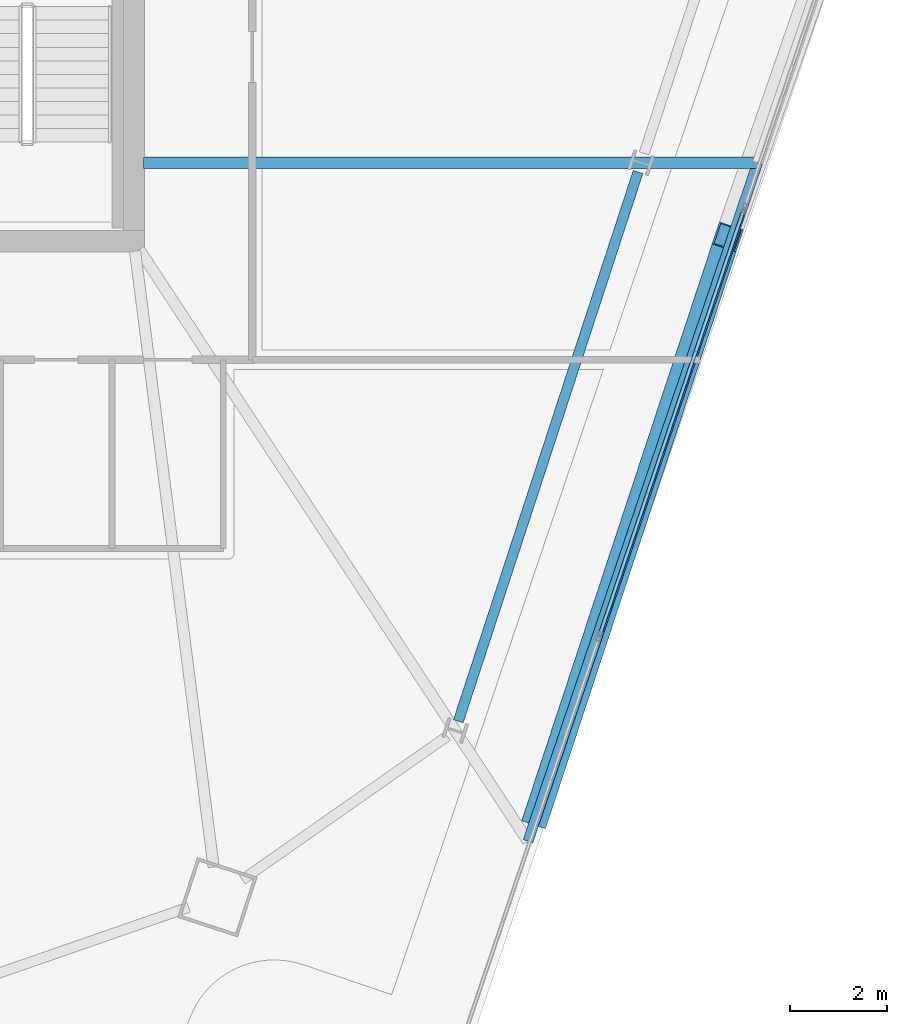
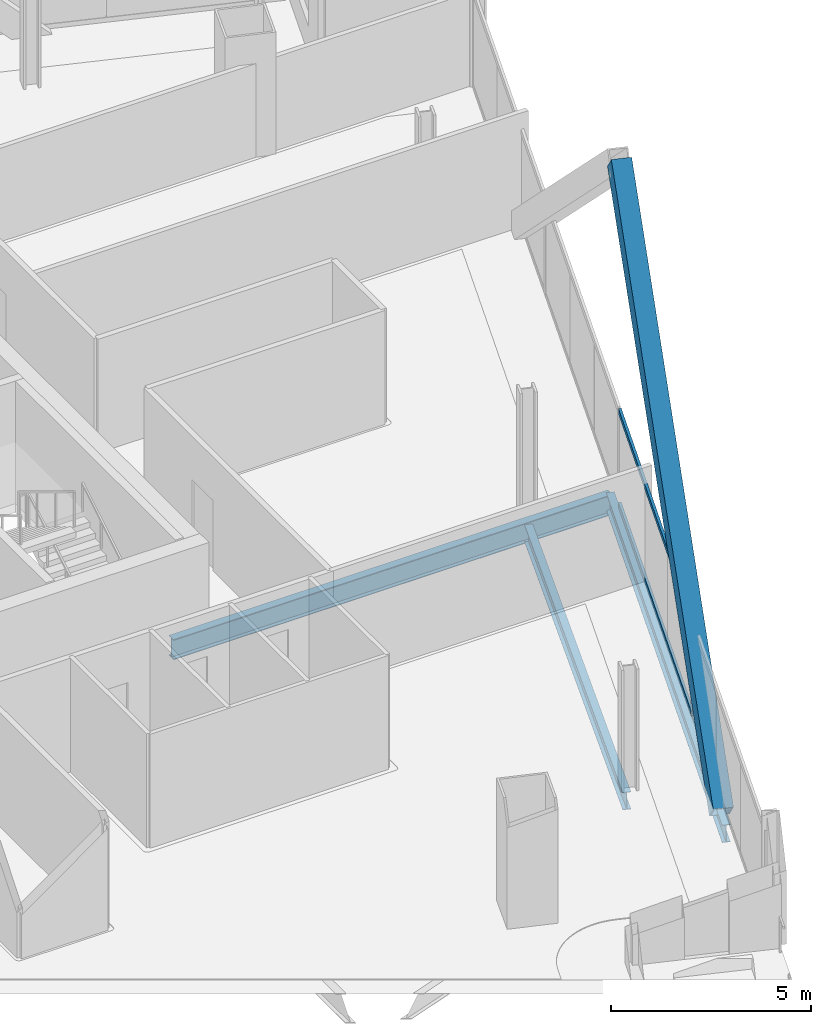
# One storey, part 9 of 29: 3 beams, 3 members, 1 element without a shape of its own.
"""IFC4 building model written with IfcOpenShell, lengths in metres."""

import ifcopenshell
import ifcopenshell.guid

model = None  # the IFC model being written
_history = None  # IfcOwnerHistory: only IFC2X3 demands one
_inside = {}  # id of a spatial element -> (the spatial element, [elements in it])
_under = {}  # id of a project, library or spatial element -> (it, [spatial elements below it])
_declared = {}  # id of a project -> (the project, [libraries it declares])
_typed = {}  # id of a type object -> (the type object, [elements of that type])
_made_of = {}  # id of a material, layer set ... -> (it, [elements and type objects made of it])


def new_model(schema):
    """Start an empty IFC model of exactly this schema.

    Asked for "IFC4X3", IfcOpenShell would pick the latest addendum, in which some entities
    have other attributes; the version numbers below select the first issue.
    IFC2X3 requires an IfcOwnerHistory on every rooted entity: one is made here for all.
    """
    global model, _history
    if schema == "IFC4X3":
        model = ifcopenshell.file(schema_version=(4, 3, 0, 0))
    else:
        model = ifcopenshell.file(schema=schema)
    _inside.clear()
    _under.clear()
    _declared.clear()
    _typed.clear()
    _made_of.clear()
    _history = None
    if model.schema == "IFC2X3":
        org = make("IfcOrganization", Name="unknown")
        user = make(
            "IfcPersonAndOrganization",
            ThePerson=make("IfcPerson", FamilyName="unknown"),
            TheOrganization=org,
        )
        app = make(
            "IfcApplication",
            ApplicationDeveloper=org,
            Version="unknown",
            ApplicationFullName="unknown",
            ApplicationIdentifier="unknown",
        )
        _history = make(
            "IfcOwnerHistory",
            OwningUser=user,
            OwningApplication=app,
            ChangeAction="ADDED",
            CreationDate=0,
        )
    return model


def make(cls, **values):
    """One entity of the class cls with the attributes given. An attribute that is None is left unset."""
    return model.create_entity(
        cls, **{name: value for name, value in values.items() if value is not None}
    )


def rooted(cls, **values):
    """An entity with a GlobalId (a new one), such as an element, a storey or a relation."""
    return make(cls, GlobalId=ifcopenshell.guid.new(), OwnerHistory=_history, **values)


def si_unit(unit_type, name, prefix=None):
    """IfcSIUnit, for example si_unit("LENGTHUNIT", "METRE", prefix="MILLI")."""
    return make("IfcSIUnit", UnitType=unit_type, Prefix=prefix, Name=name)


def assignment(units):
    """IfcUnitAssignment: the units of a project."""
    return None if units is None else make("IfcUnitAssignment", Units=units)


def point(xyz):
    """IfcCartesianPoint."""
    return None if xyz is None else make("IfcCartesianPoint", Coordinates=xyz)


def direction(xyz):
    """IfcDirection."""
    return None if xyz is None else make("IfcDirection", DirectionRatios=xyz)


def frame(location, z_axis=None, x_axis=None):
    """IfcAxis2Placement3D, a coordinate frame: its origin and axes. An axis left out is left unset."""
    return make(
        "IfcAxis2Placement3D",
        Location=point(location),
        Axis=direction(z_axis),
        RefDirection=direction(x_axis),
    )


def frame_2d(location, x_axis=None):
    """IfcAxis2Placement2D, a coordinate frame in the plane: its origin and x axis."""
    return make(
        "IfcAxis2Placement2D", Location=point(location), RefDirection=direction(x_axis)
    )


def origin():
    """The frame at (0, 0, 0) with its axes left unset."""
    return frame((0.0, 0.0, 0.0))


def origin_2d():
    """The frame at (0, 0) in the plane with its x axis left unset."""
    return frame_2d((0.0, 0.0))


def place(relative_to, where):
    """IfcLocalPlacement: puts the frame where relative to a parent placement (None: the world)."""
    return make(
        "IfcLocalPlacement", PlacementRelTo=relative_to, RelativePlacement=where
    )


def context(
    kind, dimensions, precision=None, world=None, true_north=None, identifier=None
):
    """IfcGeometricRepresentationContext, for example the 3D "Model" context."""
    return make(
        "IfcGeometricRepresentationContext",
        ContextIdentifier=identifier,
        ContextType=kind,
        CoordinateSpaceDimension=dimensions,
        Precision=precision,
        WorldCoordinateSystem=world,
        TrueNorth=true_north,
    )


def subcontext(parent, identifier, kind, view, scale=None):
    """IfcGeometricRepresentationSubContext, for example "Body" below "Model"."""
    return make(
        "IfcGeometricRepresentationSubContext",
        ContextIdentifier=identifier,
        ContextType=kind,
        ParentContext=parent,
        TargetScale=scale,
        TargetView=view,
    )


def project(units=None, contexts=None):
    """IfcProject with its units and contexts."""
    return rooted(
        "IfcProject",
        Name="project",
        RepresentationContexts=contexts,
        UnitsInContext=assignment(units),
    )


def spatial(cls, under=None, at=None, **own):
    """A site, building, storey or space (cls), placed at a placement, below another one or the project."""
    s = rooted(cls, ObjectPlacement=at, **own)
    if under is not None:
        _under.setdefault(under.id(), (under, []))[1].append(s)
    return s


def profile(cls, at=None, kind="AREA", **sizes):
    """A parametric profile (cls). Its sizes go by their IFC names, for example OverallWidth=200.0."""
    return make(cls, ProfileType=kind, Position=at, **sizes)


def hollow_rectangle(**sizes):
    """IfcRectangleHollowProfileDef."""
    return profile("IfcRectangleHollowProfileDef", **sizes)


def i_section(**sizes):
    """IfcIShapeProfileDef."""
    return profile("IfcIShapeProfileDef", **sizes)


def extrude(swept, where, along, depth):
    """IfcExtrudedAreaSolid: the profile swept, set in the frame where, extruded along a direction by depth."""
    return make(
        "IfcExtrudedAreaSolid",
        SweptArea=swept,
        Position=where,
        ExtrudedDirection=direction(along),
        Depth=depth,
    )


def shape(context_of_items, identifier, shape_type, items):
    """IfcShapeRepresentation: the items that make up one representation, for example the "Body"."""
    return make(
        "IfcShapeRepresentation",
        ContextOfItems=context_of_items,
        RepresentationIdentifier=identifier,
        RepresentationType=shape_type,
        Items=items,
    )


def material(Name=None, Category=None):
    """IfcMaterial."""
    return make("IfcMaterial", Name=Name, Category=Category)


def material_profile(
    of_material, cross_section, Name=None, Category=None, Priority=None
):
    """IfcMaterialProfile: a cross section and its material."""
    return make(
        "IfcMaterialProfile",
        Name=Name,
        Material=of_material,
        Profile=cross_section,
        Priority=Priority,
        Category=Category,
    )


def profile_set(profiles, Name=None, composite=None):
    """IfcMaterialProfileSet."""
    return make(
        "IfcMaterialProfileSet",
        Name=Name,
        MaterialProfiles=profiles,
        CompositeProfile=composite,
    )


def made_of(thing, what):
    """Note that an element or type object is made of a material, layer set ...; save() writes the relation."""
    if what is not None:
        _made_of.setdefault(what.id(), (what, []))[1].append(thing)
    return thing


def type_object(cls, material=None, **own):
    """A type object (cls), such as IfcWallType, which elements share."""
    return made_of(rooted(cls, **own), material)


def element(
    cls,
    number,
    at=None,
    inside=None,
    cuts=None,
    type_object=None,
    material=None,
    context=None,
    identifier="Body",
    shape_type=None,
    held_by="IfcProductDefinitionShape",
    body=None,
    shapes=None,
    **own,
):
    """One element of the class cls, such as IfcWall. Its Tag is "e" and its number.

    at: its placement. inside: the storey or other place that contains it. cuts: it is an
    opening in that element (IfcRelVoidsElement). A single representation is given by context,
    identifier, shape_type and body (its items); several are given by shapes. held_by: the class
    of the entity that holds the representations. save() writes the other relations.
    """
    e = rooted(cls, Tag="e%d" % number, ObjectPlacement=at, **own)
    if body is not None:
        shapes = [shape(context, identifier, shape_type, body)]
    if shapes is not None:
        e.Representation = make(held_by, Representations=shapes)
    if inside is not None:
        _inside.setdefault(inside.id(), (inside, []))[1].append(e)
    if cuts is not None:
        rooted(
            "IfcRelVoidsElement", RelatingBuildingElement=cuts, RelatedOpeningElement=e
        )
    if type_object is not None:
        _typed.setdefault(type_object.id(), (type_object, []))[1].append(e)
    return made_of(e, material)


def aggregate(whole, parts):
    """IfcRelAggregates: a whole, such as a stair, and the parts it consists of."""
    return rooted("IfcRelAggregates", RelatingObject=whole, RelatedObjects=parts)


def save(model, path):
    """Write the relations noted so far, then the file.

    IfcRelAggregates (storeys below a building ...), IfcRelContainedInSpatialStructure (elements
    in a storey), IfcRelDefinesByType, IfcRelAssociatesMaterial and IfcRelDeclares: one each for
    every whole, place, type object, material and project.
    """
    for whole, parts in _under.values():
        aggregate(whole, parts)
    for where, things in _inside.values():
        rooted(
            "IfcRelContainedInSpatialStructure",
            RelatedElements=things,
            RelatingStructure=where,
        )
    for kind, things in _typed.values():
        rooted("IfcRelDefinesByType", RelatedObjects=things, RelatingType=kind)
    for what, things in _made_of.values():
        rooted("IfcRelAssociatesMaterial", RelatedObjects=things, RelatingMaterial=what)
    for by, libraries in _declared.values():
        rooted("IfcRelDeclares", RelatingContext=by, RelatedDefinitions=libraries)
    model.write(path)


model = new_model("IFC4")

# Units and contexts
model_context = context("Model", 3, precision=1e-05, world=origin(), true_north=direction((0.0, 1.0)))
body_context = subcontext(model_context, "Body", "Model", "MODEL_VIEW")
ifc_project = project(units=[si_unit("LENGTHUNIT", "METRE"), si_unit("AREAUNIT", "SQUARE_METRE"), si_unit("VOLUMEUNIT", "CUBIC_METRE"), si_unit("PLANEANGLEUNIT", "RADIAN"), si_unit("MASSUNIT", "GRAM", prefix="KILO")], contexts=[model_context])

# Site, building, storey
site_placement = place(None, origin())
site = spatial("IfcSite", under=ifc_project, at=site_placement, CompositionType="ELEMENT")
building_placement = place(site_placement, origin())
building = spatial("IfcBuilding", under=site, at=building_placement, Name="Haldenkirk Collegiate Tower", CompositionType="ELEMENT")
storey_placement = place(building_placement, frame((0.0, 0.0, 267.449951171875)))
storey = spatial("IfcBuildingStorey", under=building, at=storey_placement, Name="L67", CompositionType="ELEMENT", Elevation=267.449951171875)

# Beams
ifc_material_1 = material(Name="Steel ASTM A992 Grade 50", Category="steel")
ifc_material_profile_1 = material_profile(ifc_material_1, i_section(OverallWidth=0.22998046875, OverallDepth=0.616943359375, WebThickness=0.01318359375, FlangeThickness=0.022216796875, at=origin_2d()), Name="W24X94")
ifc_profile_set_1 = profile_set([ifc_material_profile_1], Name="Steel ASTM A992 Grade 50")
beam_type_1 = type_object("IfcBeamType", Name="BM-GIRDER-W24X94", PredefinedType="BEAM", material=ifc_profile_set_1)
beam_1_placement = place(storey_placement, frame((57.8916015625, 19.624267578125, -0.578369140625), z_axis=(-1.0, 0.0, 0.0), x_axis=(0.0, -1.0, 0.0)))
element("IfcBeam", 1, at=beam_1_placement, inside=storey, type_object=beam_type_1, Name="L67 primary floor girder 06", PredefinedType="BEAM", context=body_context, shape_type="SweptSolid", body=[
    extrude(i_section(OverallWidth=0.22998046875, OverallDepth=0.616943359375, WebThickness=0.01318359375, FlangeThickness=0.022216796875, at=origin_2d()), origin(), (0.0, 0.0, 1.0), 12.6865234375),
])
ifc_material_profile_2 = material_profile(ifc_material_1, i_section(OverallWidth=0.2099609375, OverallDepth=0.537109375, WebThickness=0.010986328125, FlangeThickness=0.017333984375, at=origin_2d()), Name="W21X68")
ifc_profile_set_2 = profile_set([ifc_material_profile_2], Name="Steel ASTM A992 Grade 50")
beam_type_2 = type_object("IfcBeamType", Name="BM-SPANDREL-W21X68", PredefinedType="SPANDREL", material=ifc_profile_set_2)
beam_2_placement = place(storey_placement, frame((51.7060546875, 8.081298828125, -0.538330078125), z_axis=(0.311010188249, 0.950406577631, 0.0), x_axis=(-0.950406577631, 0.311010188249, 0.0)))
element("IfcBeam", 2, at=beam_2_placement, inside=storey, type_object=beam_type_2, Name="L67 perimeter spandrel beam 02", PredefinedType="SPANDREL", context=body_context, shape_type="SweptSolid", body=[
    extrude(i_section(OverallWidth=0.2099609375, OverallDepth=0.537109375, WebThickness=0.010986328125, FlangeThickness=0.017333984375, at=origin_2d()), origin(), (0.0, 0.0, 1.0), 11.94287109375),
])
beam_3_placement = place(storey_placement, frame((53.145263671875, 5.60205078125, -0.538330078125), z_axis=(0.320617800288, 0.947208649738, 0.0), x_axis=(-0.947208649738, 0.320617800288, 0.0)))
element("IfcBeam", 3, at=beam_3_placement, inside=storey, type_object=beam_type_2, Name="L67 outer facade edge beam 1A", PredefinedType="SPANDREL", context=body_context, shape_type="SweptSolid", body=[
    extrude(i_section(OverallWidth=0.2099609375, OverallDepth=0.537109375, WebThickness=0.010986328125, FlangeThickness=0.017333984375, at=origin_2d()), origin(), (0.0, 0.0, 1.0), 14.8037109375),
])

# Curtain wall, members
ifc_material_2 = material(Name="Anodised architectural bronze aluminium", Category="aluminium")
curtain_wall_type = type_object("IfcCurtainWallType", Name="CW-SYS2-CONCAVE", PredefinedType="USERDEFINED", material=ifc_material_2)
curtain_wall_placement = place(storey_placement, origin())
curtain_wall = element("IfcCurtainWall", 4, at=curtain_wall_placement, inside=storey, type_object=curtain_wall_type, Name="L67 South concave recessed bronze-anodised curtain wall", ObjectType="UNITISED CURTAIN WALL", PredefinedType="USERDEFINED")
ifc_material_profile_3 = material_profile(ifc_material_2, hollow_rectangle(XDim=0.074951171875, YDim=0.159912109375, WallThickness=0.0048828125, at=origin_2d()), Name="CW-TRN-02")
ifc_profile_set_3 = profile_set([ifc_material_profile_3], Name="Anodised architectural bronze aluminium")
member_type_1 = type_object("IfcMemberType", Name="CW-TRN-02", PredefinedType="USERDEFINED", material=ifc_profile_set_3)
member_1_placement = place(storey_placement, frame((57.603271484375, 18.648193359375, 0.03759765625), z_axis=(-0.320607074427, -0.947212280235, 0.0), x_axis=(0.947212280235, -0.320607074427, 0.0)))
member_1 = element("IfcMember", 5, at=member_1_placement, type_object=member_type_1, Name="CW-02 transom 3.1", ObjectType="TRANSOM", PredefinedType="USERDEFINED", context=body_context, shape_type="SweptSolid", body=[
    extrude(hollow_rectangle(XDim=0.074951171875, YDim=0.159912109375, WallThickness=0.0048828125, at=origin_2d()), origin(), (0.0, 0.0, 1.0), 9.27490234375),
])
member_2_placement = place(storey_placement, frame((57.603271484375, 18.648193359375, 2.900634765625), z_axis=(-0.320607074427, -0.947212280235, 0.0), x_axis=(0.947212280235, -0.320607074427, 0.0)))
member_2 = element("IfcMember", 6, at=member_2_placement, type_object=member_type_1, Name="CW-02 transom 3.2", ObjectType="TRANSOM", PredefinedType="USERDEFINED", context=body_context, shape_type="SweptSolid", body=[
    extrude(hollow_rectangle(XDim=0.074951171875, YDim=0.159912109375, WallThickness=0.0048828125, at=origin_2d()), origin(), (0.0, 0.0, 1.0), 9.27490234375),
])
aggregate(curtain_wall, [member_1, member_2])

# Member
ifc_material_3 = material(Name="Steel ASTM A572 Grade 50", Category="steel")
ifc_material_profile_4 = material_profile(ifc_material_3, hollow_rectangle(XDim=0.52001953125, YDim=0.719970703125, WallThickness=0.035888671875, at=origin_2d()), Name="BOX720X520X36")
ifc_profile_set_4 = profile_set([ifc_material_profile_4], Name="Steel ASTM A572 Grade 50")
member_type_2 = type_object("IfcMemberType", Name="MBR-MEGABRACE-BOX720X520X36", PredefinedType="BRACE", material=ifc_profile_set_4)
member_3_placement = place(storey_placement, frame((53.337646484375, 6.17041015625, -0.280029296875), z_axis=(0.233502756584, 0.707184742541, 0.667357627202), x_axis=(-0.949575972652, 0.313537034755, 0.0)))
element("IfcMember", 7, at=member_3_placement, inside=storey, type_object=member_type_2, Name="Perimeter Mega Brace Z5 L67-L69 SL", PredefinedType="BRACE", context=body_context, shape_type="SweptSolid", body=[
    extrude(hollow_rectangle(XDim=0.52001953125, YDim=0.719970703125, WallThickness=0.035888671875, at=origin_2d()), origin(), (0.0, 0.0, 1.0), 16.857421875),
])

save(model, "model.ifc")
